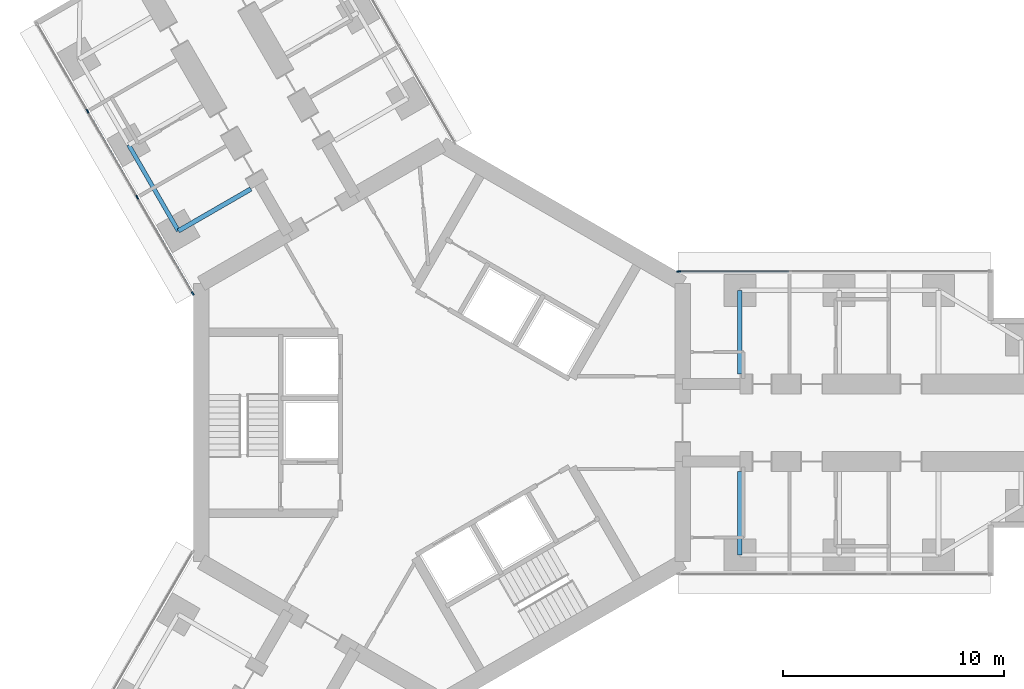
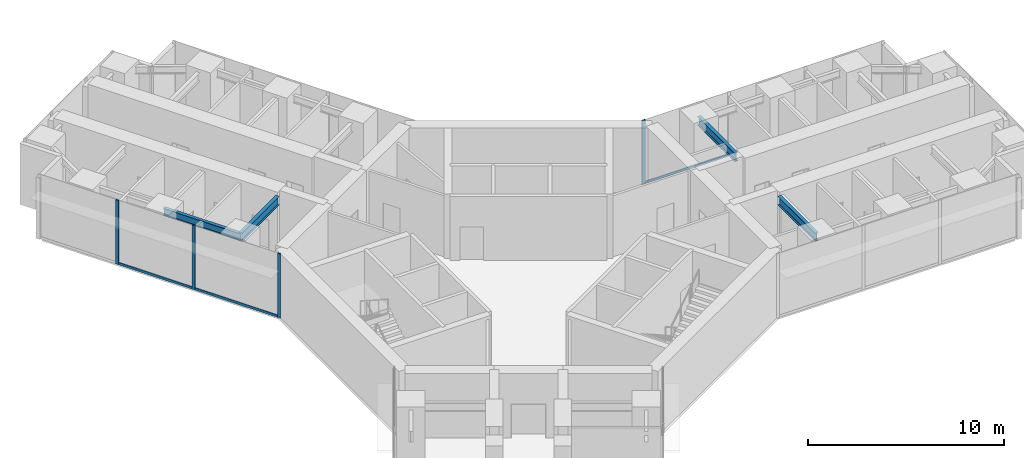
# One storey, part 6 of 24: 7 members, 4 beams, 2 elements without a shape of their own.
"""IFC4 building model written with IfcOpenShell, lengths in metres."""

import ifcopenshell
import ifcopenshell.guid

model = None  # the IFC model being written
_history = None  # IfcOwnerHistory: only IFC2X3 demands one
_inside = {}  # id of a spatial element -> (the spatial element, [elements in it])
_under = {}  # id of a project, library or spatial element -> (it, [spatial elements below it])
_declared = {}  # id of a project -> (the project, [libraries it declares])
_typed = {}  # id of a type object -> (the type object, [elements of that type])
_made_of = {}  # id of a material, layer set ... -> (it, [elements and type objects made of it])


def new_model(schema):
    """Start an empty IFC model of exactly this schema.

    Asked for "IFC4X3", IfcOpenShell would pick the latest addendum, in which some entities
    have other attributes; the version numbers below select the first issue.
    IFC2X3 requires an IfcOwnerHistory on every rooted entity: one is made here for all.
    """
    global model, _history
    if schema == "IFC4X3":
        model = ifcopenshell.file(schema_version=(4, 3, 0, 0))
    else:
        model = ifcopenshell.file(schema=schema)
    _inside.clear()
    _under.clear()
    _declared.clear()
    _typed.clear()
    _made_of.clear()
    _history = None
    if model.schema == "IFC2X3":
        org = make("IfcOrganization", Name="unknown")
        user = make(
            "IfcPersonAndOrganization",
            ThePerson=make("IfcPerson", FamilyName="unknown"),
            TheOrganization=org,
        )
        app = make(
            "IfcApplication",
            ApplicationDeveloper=org,
            Version="unknown",
            ApplicationFullName="unknown",
            ApplicationIdentifier="unknown",
        )
        _history = make(
            "IfcOwnerHistory",
            OwningUser=user,
            OwningApplication=app,
            ChangeAction="ADDED",
            CreationDate=0,
        )
    return model


def make(cls, **values):
    """One entity of the class cls with the attributes given. An attribute that is None is left unset."""
    return model.create_entity(
        cls, **{name: value for name, value in values.items() if value is not None}
    )


def rooted(cls, **values):
    """An entity with a GlobalId (a new one), such as an element, a storey or a relation."""
    return make(cls, GlobalId=ifcopenshell.guid.new(), OwnerHistory=_history, **values)


def si_unit(unit_type, name, prefix=None):
    """IfcSIUnit, for example si_unit("LENGTHUNIT", "METRE", prefix="MILLI")."""
    return make("IfcSIUnit", UnitType=unit_type, Prefix=prefix, Name=name)


def assignment(units):
    """IfcUnitAssignment: the units of a project."""
    return None if units is None else make("IfcUnitAssignment", Units=units)


def point(xyz):
    """IfcCartesianPoint."""
    return None if xyz is None else make("IfcCartesianPoint", Coordinates=xyz)


def direction(xyz):
    """IfcDirection."""
    return None if xyz is None else make("IfcDirection", DirectionRatios=xyz)


def frame(location, z_axis=None, x_axis=None):
    """IfcAxis2Placement3D, a coordinate frame: its origin and axes. An axis left out is left unset."""
    return make(
        "IfcAxis2Placement3D",
        Location=point(location),
        Axis=direction(z_axis),
        RefDirection=direction(x_axis),
    )


def frame_2d(location, x_axis=None):
    """IfcAxis2Placement2D, a coordinate frame in the plane: its origin and x axis."""
    return make(
        "IfcAxis2Placement2D", Location=point(location), RefDirection=direction(x_axis)
    )


def origin():
    """The frame at (0, 0, 0) with its axes left unset."""
    return frame((0.0, 0.0, 0.0))


def origin_2d():
    """The frame at (0, 0) in the plane with its x axis left unset."""
    return frame_2d((0.0, 0.0))


def place(relative_to, where):
    """IfcLocalPlacement: puts the frame where relative to a parent placement (None: the world)."""
    return make(
        "IfcLocalPlacement", PlacementRelTo=relative_to, RelativePlacement=where
    )


def context(
    kind, dimensions, precision=None, world=None, true_north=None, identifier=None
):
    """IfcGeometricRepresentationContext, for example the 3D "Model" context."""
    return make(
        "IfcGeometricRepresentationContext",
        ContextIdentifier=identifier,
        ContextType=kind,
        CoordinateSpaceDimension=dimensions,
        Precision=precision,
        WorldCoordinateSystem=world,
        TrueNorth=true_north,
    )


def subcontext(parent, identifier, kind, view, scale=None):
    """IfcGeometricRepresentationSubContext, for example "Body" below "Model"."""
    return make(
        "IfcGeometricRepresentationSubContext",
        ContextIdentifier=identifier,
        ContextType=kind,
        ParentContext=parent,
        TargetScale=scale,
        TargetView=view,
    )


def project(units=None, contexts=None):
    """IfcProject with its units and contexts."""
    return rooted(
        "IfcProject",
        Name="project",
        RepresentationContexts=contexts,
        UnitsInContext=assignment(units),
    )


def spatial(cls, under=None, at=None, **own):
    """A site, building, storey or space (cls), placed at a placement, below another one or the project."""
    s = rooted(cls, ObjectPlacement=at, **own)
    if under is not None:
        _under.setdefault(under.id(), (under, []))[1].append(s)
    return s


def profile(cls, at=None, kind="AREA", **sizes):
    """A parametric profile (cls). Its sizes go by their IFC names, for example OverallWidth=200.0."""
    return make(cls, ProfileType=kind, Position=at, **sizes)


def rectangle(**sizes):
    """IfcRectangleProfileDef."""
    return profile("IfcRectangleProfileDef", **sizes)


def i_section(**sizes):
    """IfcIShapeProfileDef."""
    return profile("IfcIShapeProfileDef", **sizes)


def extrude(swept, where, along, depth):
    """IfcExtrudedAreaSolid: the profile swept, set in the frame where, extruded along a direction by depth."""
    return make(
        "IfcExtrudedAreaSolid",
        SweptArea=swept,
        Position=where,
        ExtrudedDirection=direction(along),
        Depth=depth,
    )


def shape(context_of_items, identifier, shape_type, items):
    """IfcShapeRepresentation: the items that make up one representation, for example the "Body"."""
    return make(
        "IfcShapeRepresentation",
        ContextOfItems=context_of_items,
        RepresentationIdentifier=identifier,
        RepresentationType=shape_type,
        Items=items,
    )


def material(Name=None, Category=None):
    """IfcMaterial."""
    return make("IfcMaterial", Name=Name, Category=Category)


def material_profile(
    of_material, cross_section, Name=None, Category=None, Priority=None
):
    """IfcMaterialProfile: a cross section and its material."""
    return make(
        "IfcMaterialProfile",
        Name=Name,
        Material=of_material,
        Profile=cross_section,
        Priority=Priority,
        Category=Category,
    )


def profile_set(profiles, Name=None, composite=None):
    """IfcMaterialProfileSet."""
    return make(
        "IfcMaterialProfileSet",
        Name=Name,
        MaterialProfiles=profiles,
        CompositeProfile=composite,
    )


def made_of(thing, what):
    """Note that an element or type object is made of a material, layer set ...; save() writes the relation."""
    if what is not None:
        _made_of.setdefault(what.id(), (what, []))[1].append(thing)
    return thing


def type_object(cls, material=None, **own):
    """A type object (cls), such as IfcWallType, which elements share."""
    return made_of(rooted(cls, **own), material)


def element(
    cls,
    number,
    at=None,
    inside=None,
    cuts=None,
    type_object=None,
    material=None,
    context=None,
    identifier="Body",
    shape_type=None,
    held_by="IfcProductDefinitionShape",
    body=None,
    shapes=None,
    **own,
):
    """One element of the class cls, such as IfcWall. Its Tag is "e" and its number.

    at: its placement. inside: the storey or other place that contains it. cuts: it is an
    opening in that element (IfcRelVoidsElement). A single representation is given by context,
    identifier, shape_type and body (its items); several are given by shapes. held_by: the class
    of the entity that holds the representations. save() writes the other relations.
    """
    e = rooted(cls, Tag="e%d" % number, ObjectPlacement=at, **own)
    if body is not None:
        shapes = [shape(context, identifier, shape_type, body)]
    if shapes is not None:
        e.Representation = make(held_by, Representations=shapes)
    if inside is not None:
        _inside.setdefault(inside.id(), (inside, []))[1].append(e)
    if cuts is not None:
        rooted(
            "IfcRelVoidsElement", RelatingBuildingElement=cuts, RelatedOpeningElement=e
        )
    if type_object is not None:
        _typed.setdefault(type_object.id(), (type_object, []))[1].append(e)
    return made_of(e, material)


def aggregate(whole, parts):
    """IfcRelAggregates: a whole, such as a stair, and the parts it consists of."""
    return rooted("IfcRelAggregates", RelatingObject=whole, RelatedObjects=parts)


def save(model, path):
    """Write the relations noted so far, then the file.

    IfcRelAggregates (storeys below a building ...), IfcRelContainedInSpatialStructure (elements
    in a storey), IfcRelDefinesByType, IfcRelAssociatesMaterial and IfcRelDeclares: one each for
    every whole, place, type object, material and project.
    """
    for whole, parts in _under.values():
        aggregate(whole, parts)
    for where, things in _inside.values():
        rooted(
            "IfcRelContainedInSpatialStructure",
            RelatedElements=things,
            RelatingStructure=where,
        )
    for kind, things in _typed.values():
        rooted("IfcRelDefinesByType", RelatedObjects=things, RelatingType=kind)
    for what, things in _made_of.values():
        rooted("IfcRelAssociatesMaterial", RelatedObjects=things, RelatingMaterial=what)
    for by, libraries in _declared.values():
        rooted("IfcRelDeclares", RelatingContext=by, RelatedDefinitions=libraries)
    model.write(path)


model = new_model("IFC4")

# Units and contexts
model_context = context("Model", 3, precision=1e-05, world=origin(), true_north=direction((0.0, 1.0)))
body_context = subcontext(model_context, "Body", "Model", "MODEL_VIEW")
ifc_project = project(units=[si_unit("LENGTHUNIT", "METRE"), si_unit("AREAUNIT", "SQUARE_METRE"), si_unit("VOLUMEUNIT", "CUBIC_METRE"), si_unit("PLANEANGLEUNIT", "RADIAN"), si_unit("MASSUNIT", "GRAM", prefix="KILO")], contexts=[model_context])

# Site, building, storey
site_placement = place(None, origin())
site = spatial("IfcSite", under=ifc_project, at=site_placement, CompositionType="ELEMENT")
building_placement = place(site_placement, origin())
building = spatial("IfcBuilding", under=site, at=building_placement, Name="Upepo Twin Towers", CompositionType="ELEMENT")
storey_placement = place(building_placement, frame((0.0, 0.0, 68.5)))
storey = spatial("IfcBuildingStorey", under=building, at=storey_placement, Name="L16", CompositionType="ELEMENT", Elevation=68.5)

# Beams
ifc_material_1 = material(Name="Steel S355", Category="steel")
ifc_material_profile_1 = material_profile(ifc_material_1, i_section(OverallWidth=0.1904296875, OverallDepth=0.45703125, WebThickness=0.009033203125, FlangeThickness=0.014404296875, FilletRadius=0.01025390625, at=origin_2d()), Name="UB 457x191x74")
ifc_profile_set_1 = profile_set([ifc_material_profile_1], Name="Steel S355")
beam_type_1 = type_object("IfcBeamType", Name="Beam UB 457x191x74", PredefinedType="BEAM", material=ifc_profile_set_1)
beam_1_placement = place(storey_placement, frame((-11.946044921875, 8.69140625, 3.571533203125), z_axis=(-0.500013631625, 0.866017533419, 0.0), x_axis=(-0.866017533419, -0.500013631625, 0.0)))
element("IfcBeam", 1, at=beam_1_placement, inside=storey, type_object=beam_type_1, Name="T1 edge beam BL 13.5-18.0", PredefinedType="BEAM", context=body_context, shape_type="SweptSolid", body=[
    extrude(i_section(OverallWidth=0.1904296875, OverallDepth=0.45703125, WebThickness=0.009033203125, FlangeThickness=0.014404296875, FilletRadius=0.01025390625, at=origin_2d()), origin(), (0.0, 0.0, 1.0), 4.499755859375),
])
ifc_material_2 = material(Name="Steel S355", Category="steel")
ifc_material_profile_2 = material_profile(ifc_material_2, i_section(OverallWidth=0.209228515625, OverallDepth=0.533203125, WebThickness=0.010009765625, FlangeThickness=0.015625, FilletRadius=0.0126953125, at=origin_2d()), Name="UB 533x210x92")
ifc_profile_set_2 = profile_set([ifc_material_profile_2], Name="Steel S355")
beam_type_2 = type_object("IfcBeamType", Name="Beam UB 533x210x92", PredefinedType="BEAM", material=ifc_profile_set_2)
for number, where, z_axis, x_axis, name in (
    (2, (13.5, 6.0, 3.533447265625), (0.0, -1.0, 0.0), (1.0, 0.0, 0.0), "T1 girder AL at 13.5"),
    (3, (13.5, -6.0, 3.533447265625), (0.0, 1.0, 0.0), (-1.0, 0.0, 0.0), "T1 girder AR at 13.5"),
):
    element("IfcBeam", number, at=place(storey_placement, frame(where, z_axis=z_axis, x_axis=x_axis)), inside=storey, type_object=beam_type_2, Name=name, PredefinedType="BEAM", context=body_context, shape_type="SweptSolid", body=[
        extrude(i_section(OverallWidth=0.209228515625, OverallDepth=0.533203125, WebThickness=0.010009765625, FlangeThickness=0.015625, FilletRadius=0.0126953125, at=origin_2d()), origin(), (0.0, 0.0, 1.0), 3.800048828125),
    ])
beam_2_placement = place(storey_placement, frame((-11.946044921875, 8.69140625, 3.533447265625), z_axis=(0.866028304915, 0.499994975061, 0.0), x_axis=(-0.499994975061, 0.866028304915, 0.0)))
element("IfcBeam", 4, at=beam_2_placement, inside=storey, type_object=beam_type_2, Name="T1 girder BL at 13.5", PredefinedType="BEAM", context=body_context, shape_type="SweptSolid", body=[
    extrude(i_section(OverallWidth=0.209228515625, OverallDepth=0.533203125, WebThickness=0.010009765625, FlangeThickness=0.015625, FilletRadius=0.0126953125, at=origin_2d()), origin(), (0.0, 0.0, 1.0), 3.7998046875),
])

# Curtain wall, member
ifc_material_3 = material(Name="Aluminium and fritted glass", Category="aluminium")
curtain_wall_type = type_object("IfcCurtainWallType", Name="Tower curtain wall TW1, fritted glass", PredefinedType="NOTDEFINED", material=ifc_material_3)
curtain_wall_1_placement = place(storey_placement, origin())
curtain_wall_1 = element("IfcCurtainWall", 5, at=curtain_wall_1_placement, inside=storey, type_object=curtain_wall_type, Name="T1 L16 wing A flank L curtain wall", PredefinedType="NOTDEFINED")
ifc_material_4 = material(Name="Aluminium mullion", Category="aluminium")
ifc_material_profile_3 = material_profile(ifc_material_4, rectangle(XDim=0.06494140625, YDim=0.179931640625, at=origin_2d()), Name="MULLION 65x180")
ifc_profile_set_3 = profile_set([ifc_material_profile_3], Name="Aluminium mullion")
member_type_1 = type_object("IfcMemberType", Name="Mullion 65x180 TW1", PredefinedType="MULLION", material=ifc_profile_set_3)
member_1_placement = place(storey_placement, frame((10.7197265625, 6.85009765625, 0.0), z_axis=(0.0, 0.0, 1.0), x_axis=(0.0, 1.0, 0.0)))
member_1 = element("IfcMember", 6, at=member_1_placement, type_object=member_type_1, Name="T1 L16 wing A flank L curtain wall mullion 1", PredefinedType="MULLION", context=body_context, shape_type="SweptSolid", body=[
    extrude(rectangle(XDim=0.06494140625, YDim=0.179931640625, at=origin_2d()), origin(), (0.0, 0.0, 1.0), 4.0),
])

# Curtain wall, members
curtain_wall_2_placement = place(storey_placement, origin())
curtain_wall_2 = element("IfcCurtainWall", 7, at=curtain_wall_2_placement, inside=storey, type_object=curtain_wall_type, Name="T1 L16 wing B flank L curtain wall", PredefinedType="NOTDEFINED")
member_2_placement = place(storey_placement, frame((-11.2919921875, 5.8583984375, 0.0), z_axis=(0.0, 0.0, 1.0), x_axis=(-0.866025389682, -0.500000024426, 0.0)))
member_2 = element("IfcMember", 8, at=member_2_placement, type_object=member_type_1, Name="T1 L16 wing B flank L curtain wall mullion 1", PredefinedType="MULLION", context=body_context, shape_type="SweptSolid", body=[
    extrude(rectangle(XDim=0.06494140625, YDim=0.179931640625, at=origin_2d()), origin(), (0.0, 0.0, 1.0), 4.0),
])
member_3_placement = place(storey_placement, frame((-13.807373046875, 10.21484375, 0.0), z_axis=(0.0, 0.0, 1.0), x_axis=(-0.866025389682, -0.500000024426, 0.0)))
member_3 = element("IfcMember", 9, at=member_3_placement, type_object=member_type_1, Name="T1 L16 wing B flank L curtain wall mullion 2", PredefinedType="MULLION", context=body_context, shape_type="SweptSolid", body=[
    extrude(rectangle(XDim=0.06494140625, YDim=0.179931640625, at=origin_2d()), origin(), (0.0, 0.0, 1.0), 4.0),
])
member_4_placement = place(storey_placement, frame((-16.057373046875, 14.112060546875, 0.0), z_axis=(0.0, 0.0, 1.0), x_axis=(-0.866025389682, -0.500000024426, 0.0)))
member_4 = element("IfcMember", 10, at=member_4_placement, type_object=member_type_1, Name="T1 L16 wing B flank L curtain wall mullion 3", PredefinedType="MULLION", context=body_context, shape_type="SweptSolid", body=[
    extrude(rectangle(XDim=0.06494140625, YDim=0.179931640625, at=origin_2d()), origin(), (0.0, 0.0, 1.0), 4.0),
])

# Member
ifc_material_5 = material(Name="Aluminium transom", Category="aluminium")
ifc_material_profile_4 = material_profile(ifc_material_5, rectangle(XDim=0.06494140625, YDim=0.14990234375, at=origin_2d()), Name="TRANSOM 65x150")
ifc_profile_set_4 = profile_set([ifc_material_profile_4], Name="Aluminium transom")
member_type_2 = type_object("IfcMemberType", Name="Transom 65x150 TW1", PredefinedType="USERDEFINED", material=ifc_profile_set_4)
member_5_placement = place(storey_placement, frame((10.752197265625, 6.85009765625, 0.074951171875), z_axis=(1.0, 0.0, 0.0), x_axis=(0.0, 1.0, 0.0)))
member_5 = element("IfcMember", 11, at=member_5_placement, type_object=member_type_2, Name="T1 L16 wing A flank L curtain wall transom 1", ObjectType="TRANSOM", PredefinedType="USERDEFINED", context=body_context, shape_type="SweptSolid", body=[
    extrude(rectangle(XDim=0.06494140625, YDim=0.14990234375, at=origin_2d()), origin(), (0.0, 0.0, 1.0), 4.96533203125),
])

aggregate(curtain_wall_1, [member_1, member_5])

member_6_placement = place(storey_placement, frame((-11.308349609375, 5.88671875, 0.074951171875), z_axis=(-0.50000478328, 0.866022642139, 0.0), x_axis=(-0.866022642139, -0.50000478328, 0.0)))
member_6 = element("IfcMember", 12, at=member_6_placement, type_object=member_type_2, Name="T1 L16 wing B flank L curtain wall transom 1", ObjectType="TRANSOM", PredefinedType="USERDEFINED", context=body_context, shape_type="SweptSolid", body=[
    extrude(rectangle(XDim=0.06494140625, YDim=0.14990234375, at=origin_2d()), origin(), (0.0, 0.0, 1.0), 4.96533203125),
])

member_7_placement = place(storey_placement, frame((-13.823486328125, 10.2431640625, 0.074951171875), z_axis=(-0.500005184116, 0.866022410713, 0.0), x_axis=(-0.866022410713, -0.500005184116, 0.0)))
member_7 = element("IfcMember", 13, at=member_7_placement, type_object=member_type_2, Name="T1 L16 wing B flank L curtain wall transom 2", ObjectType="TRANSOM", PredefinedType="USERDEFINED", context=body_context, shape_type="SweptSolid", body=[
    extrude(rectangle(XDim=0.06494140625, YDim=0.14990234375, at=origin_2d()), origin(), (0.0, 0.0, 1.0), 4.43505859375),
])

aggregate(curtain_wall_2, [member_2, member_3, member_4, member_6, member_7])

save(model, "model.ifc")
